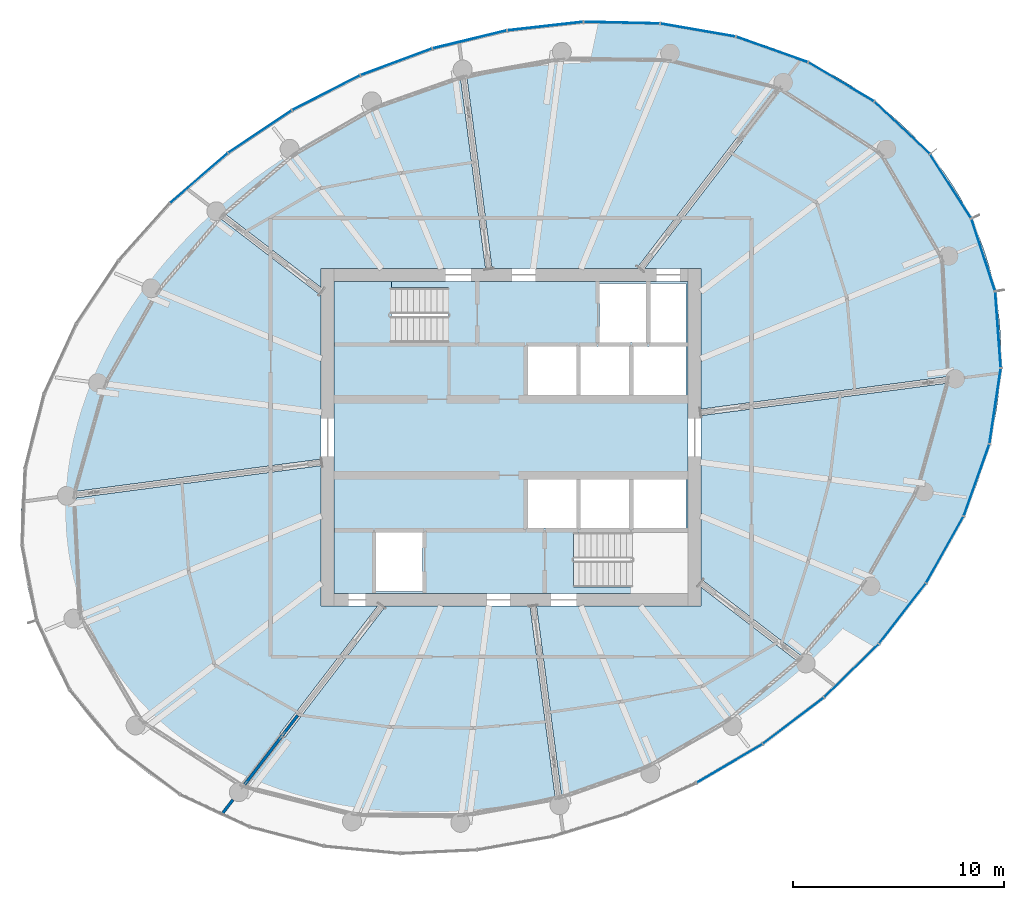
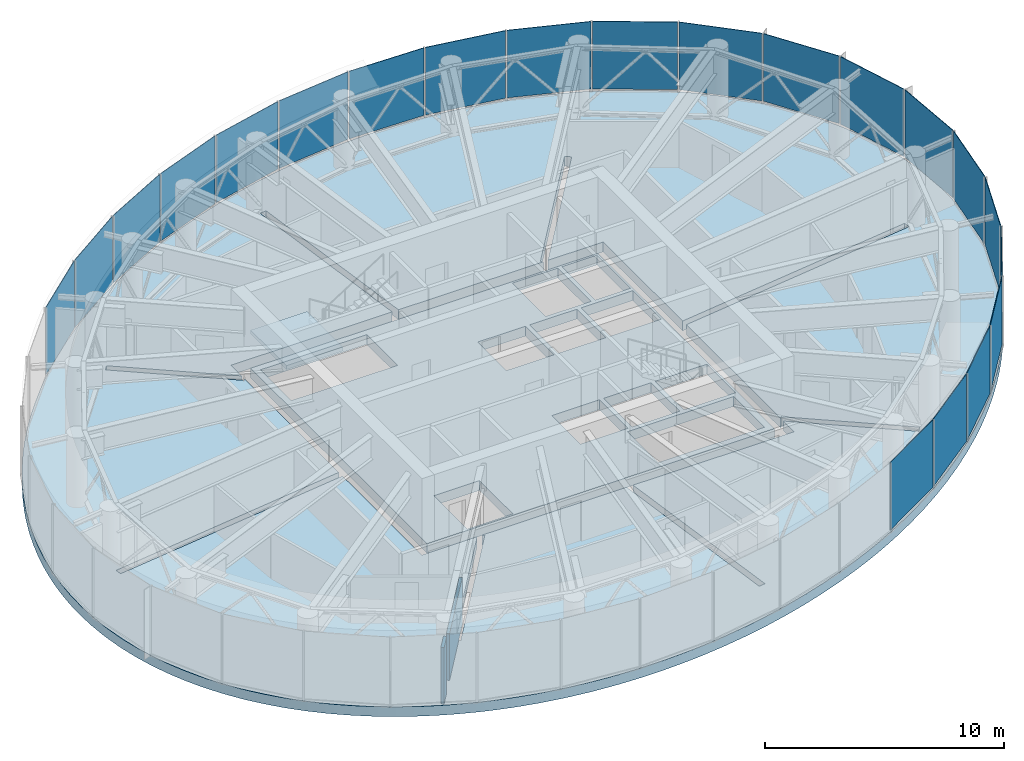
# One storey, part 15 of 26: 21 plates, 3 slabs, 2 walls, 5 elements without a shape of their own.
"""IFC4 building model written with IfcOpenShell, lengths in metres."""

from ifc_helpers import new_model, si_unit, direction, frame, frame_2d, origin, origin_2d, place, context, subcontext, project, spatial, line, indexed_curve, rectangle, outline, extrude, source, transform, mapped, material, layer, layer_set, type_object, element, aggregate, save


model = new_model("IFC4")

# Units and contexts
model_context = context("Model", 3, precision=1e-05, world=origin(), true_north=direction((0.0, 1.0)))
body_context = subcontext(model_context, "Body", "Model", "MODEL_VIEW")
ifc_project = project(units=[si_unit("LENGTHUNIT", "METRE"), si_unit("AREAUNIT", "SQUARE_METRE"), si_unit("VOLUMEUNIT", "CUBIC_METRE"), si_unit("PLANEANGLEUNIT", "RADIAN"), si_unit("MASSUNIT", "GRAM", prefix="KILO")], contexts=[model_context])

# Site, building, storey
site_placement = place(None, origin())
site = spatial("IfcSite", under=ifc_project, at=site_placement, CompositionType="ELEMENT")
building_placement = place(site_placement, origin())
building = spatial("IfcBuilding", under=site, at=building_placement, Name="Spindrift Exchange Tower", CompositionType="ELEMENT")
storey_placement = place(building_placement, frame((0.0, 0.0, 230.60009765625)))
storey = spatial("IfcBuildingStorey", under=building, at=storey_placement, Name="L56", CompositionType="ELEMENT", Elevation=230.60009765625)

# Slabs
ifc_material_1 = material(Name="Concrete 40 MPa", Category="concrete")
ifc_layer_1 = layer(ifc_material_1, 0.5)
ifc_layer_set_1 = layer_set([ifc_layer_1], Name="RC Floor Slab 500 Concrete 40 MPa")
slab_type_1 = type_object("IfcSlabType", Name="RC Floor Slab 500 Concrete 40 MPa", PredefinedType="FLOOR", material=ifc_layer_set_1)
slab_1_placement = place(storey_placement, frame((0.0, 0.0, -0.5)))
element("IfcSlab", 1, at=slab_1_placement, inside=storey, type_object=slab_type_1, Name="Floor slab L56", PredefinedType="FLOOR", context=body_context, shape_type="SweptSolid", body=[
    extrude(outline(indexed_curve([(73.8232421875, 58.366943359375), (73.484130859375, 59.034912109375), (73.3017578125, 59.3623046875), (72.911376953125, 60.001708984375), (72.48828125, 60.619873046875), (72.26513671875, 60.920654296875), (71.7958984375, 61.5048828125), (71.298095703125, 62.064453125), (71.038818359375, 62.3349609375), (70.501220703125, 62.8564453125), (69.938720703125, 63.3515625), (69.649169921875, 63.589111328125), (69.053466796875, 64.04345703125), (68.43798828125, 64.470703125), (68.123291015625, 64.673828125), (67.481201171875, 65.059814453125), (66.8232421875, 65.41796875), (66.489013671875, 65.5869140625), (65.810302734375, 65.904296875), (65.11962890625, 66.194580078125), (64.770263671875, 66.329833984375), (64.064208984375, 66.58056640625), (63.7080078125, 66.696044921875), (62.9892578125, 66.90771484375), (62.627197265625, 67.00390625), (61.8984375, 67.177734375), (61.531982421875, 67.25537109375), (60.79541015625, 67.392333984375), (60.425537109375, 67.451904296875), (59.683349609375, 67.552978515625), (59.31103515625, 67.594970703125), (58.564697265625, 67.661376953125), (58.19091796875, 67.686279296875), (57.4423828125, 67.718994140625), (57.068115234375, 67.727294921875), (56.31884765625, 67.727783203125), (55.944091796875, 67.719970703125), (55.19580078125, 67.688720703125), (54.4482421875, 67.636962890625), (54.0751953125, 67.603515625), (52.958984375, 67.47314453125), (51.848876953125, 67.29931640625), (50.74609375, 67.082763671875), (49.652099609375, 66.824951171875), (48.56884765625, 66.526611328125), (47.4970703125, 66.188720703125), (46.438232421875, 65.81201171875), (45.393798828125, 65.397705078125), (44.705810546875, 65.1005859375), (44.025390625, 64.787109375), (43.3525390625, 64.45751953125), (42.687744140625, 64.112060546875), (41.70654296875, 63.564208984375), (40.74560546875, 62.9814453125), (39.806640625, 62.3642578125), (38.890869140625, 61.712890625), (38.0, 61.02783203125), (37.135498046875, 60.309814453125), (36.29931640625, 59.55908203125), (35.75830078125, 59.040771484375), (35.4931640625, 58.776123046875), (35.2314453125, 58.508056640625), (34.71923828125, 57.96142578125), (34.221923828125, 57.40087890625), (33.9794921875, 57.115478515625), (33.50634765625, 56.53466796875), (33.276123046875, 56.239013671875), (33.05029296875, 55.940185546875), (32.61181640625, 55.33251953125), (32.19189453125, 54.712158203125), (31.9892578125, 54.397216796875), (31.5986328125, 53.7578125), (31.4111328125, 53.43359375), (31.052001953125, 52.77587890625), (30.880615234375, 52.44287109375), (30.554931640625, 51.768310546875), (30.40087890625, 51.4267578125), (30.252685546875, 51.08251953125), (29.975341796875, 50.38671875), (29.84619140625, 50.03515625), (29.607666015625, 49.324951171875), (29.396484375, 48.606201171875), (29.213623046875, 47.87939453125), (29.13330078125, 47.513671875), (28.99560546875, 46.77734375), (28.938232421875, 46.406982421875), (28.84765625, 45.663330078125), (28.789794921875, 44.91650390625), (28.773681640625, 44.542236328125), (28.76708984375, 43.793212890625), (28.79541015625, 43.04443359375), (28.860107421875, 42.298095703125), (28.906005859375, 41.92626953125), (29.025146484375, 41.186767578125), (29.0986328125, 40.8193359375), (29.273681640625, 40.091064453125), (29.48583984375, 39.37255859375), (29.605712890625, 39.017578125), (29.873046875, 38.31787109375), (30.1767578125, 37.633056640625), (30.515869140625, 36.965087890625), (30.6982421875, 36.6376953125), (31.088623046875, 35.998291015625), (31.51171875, 35.380126953125), (31.73486328125, 35.079345703125), (32.2041015625, 34.4951171875), (32.701904296875, 33.935546875), (32.961181640625, 33.6650390625), (33.498779296875, 33.1435546875), (34.061279296875, 32.6484375), (34.350830078125, 32.410888671875), (34.946533203125, 31.95654296875), (35.56201171875, 31.529296875), (35.876708984375, 31.326171875), (36.518798828125, 30.940185546875), (37.1767578125, 30.58203125), (37.510986328125, 30.4130859375), (38.189697265625, 30.095703125), (38.88037109375, 29.805419921875), (39.58154296875, 29.54150390625), (39.935791015625, 29.41943359375), (40.2919921875, 29.303955078125), (41.0107421875, 29.09228515625), (41.372802734375, 28.99609375), (42.1015625, 28.822265625), (42.468017578125, 28.74462890625), (43.20458984375, 28.607666015625), (43.574462890625, 28.548095703125), (44.316650390625, 28.447021484375), (44.68896484375, 28.405029296875), (45.435302734375, 28.338623046875), (45.80908203125, 28.313720703125), (46.5576171875, 28.281005859375), (46.931884765625, 28.272705078125), (47.68115234375, 28.272216796875), (48.055908203125, 28.280029296875), (48.80419921875, 28.311279296875), (49.5517578125, 28.363037109375), (49.9248046875, 28.396484375), (51.041015625, 28.52685546875), (52.151123046875, 28.70068359375), (53.25390625, 28.917236328125), (54.347900390625, 29.175048828125), (55.43115234375, 29.473388671875), (56.5029296875, 29.811279296875), (57.561767578125, 30.18798828125), (58.606201171875, 30.602294921875), (59.294189453125, 30.8994140625), (59.974609375, 31.212890625), (60.6474609375, 31.54248046875), (61.312255859375, 31.887939453125), (62.29345703125, 32.435791015625), (63.25439453125, 33.0185546875), (64.193359375, 33.6357421875), (65.109130859375, 34.287109375), (66.0, 34.97216796875), (66.864501953125, 35.690185546875), (67.70068359375, 36.44091796875), (68.24169921875, 36.959228515625), (68.5068359375, 37.223876953125), (68.7685546875, 37.491943359375), (69.28076171875, 38.03857421875), (69.778076171875, 38.59912109375), (70.0205078125, 38.884521484375), (70.49365234375, 39.46533203125), (70.723876953125, 39.760986328125), (70.94970703125, 40.059814453125), (71.38818359375, 40.66748046875), (71.80810546875, 41.287841796875), (72.0107421875, 41.602783203125), (72.4013671875, 42.2421875), (72.5888671875, 42.56640625), (72.947998046875, 43.22412109375), (73.119384765625, 43.55712890625), (73.445068359375, 44.231689453125), (73.59912109375, 44.5732421875), (73.747314453125, 44.91748046875), (74.024658203125, 45.61328125), (74.15380859375, 45.96484375), (74.392333984375, 46.675048828125), (74.603515625, 47.393798828125), (74.786376953125, 48.12060546875), (74.86669921875, 48.486328125), (75.00439453125, 49.22265625), (75.061767578125, 49.593017578125), (75.15234375, 50.336669921875), (75.210205078125, 51.08349609375), (75.226318359375, 51.457763671875), (75.23291015625, 52.206787109375), (75.20458984375, 52.95556640625), (75.139892578125, 53.701904296875), (75.093994140625, 54.07373046875), (74.974853515625, 54.813232421875), (74.9013671875, 55.1806640625), (74.726318359375, 55.908935546875), (74.51416015625, 56.62744140625), (74.394287109375, 56.982421875), (74.126953125, 57.68212890625)], segments=[line(1, 2, 3, 4, 5, 6, 7, 8, 9, 10, 11, 12, 13, 14, 15, 16, 17, 18, 19, 20, 21, 22, 23, 24, 25, 26, 27, 28, 29, 30, 31, 32, 33, 34, 35, 36, 37, 38, 39, 40, 41, 42, 43, 44, 45, 46, 47, 48, 49, 50, 51, 52, 53, 54, 55, 56, 57, 58, 59, 60, 61, 62, 63, 64, 65, 66, 67, 68, 69, 70, 71, 72, 73, 74, 75, 76, 77, 78, 79, 80, 81, 82, 83, 84, 85, 86, 87, 88, 89, 90, 91, 92, 93, 94, 95, 96, 97, 98, 99, 100, 101, 102, 103, 104, 105, 106, 107, 108, 109, 110, 111, 112, 113, 114, 115, 116, 117, 118, 119, 120, 121, 122, 123, 124, 125, 126, 127, 128, 129, 130, 131, 132, 133, 134, 135, 136, 137, 138, 139, 140, 141, 142, 143, 144, 145, 146, 147, 148, 149, 150, 151, 152, 153, 154, 155, 156, 157, 158, 159, 160, 161, 162, 163, 164, 165, 166, 167, 168, 169, 170, 171, 172, 173, 174, 175, 176, 177, 178, 179, 180, 181, 182, 183, 184, 185, 186, 187, 188, 189, 190, 191, 192, 193, 194, 195, 196, 197, 198, 1)], self_intersect=False), holes=[indexed_curve([(65.72265625, 37.662353515625), (65.537109375, 37.42041015625), (61.0, 40.90185546875), (61.0, 40.0), (53.20703125, 40.0), (54.391357421875, 31.003662109375), (54.089111328125, 30.9638671875), (52.8994140625, 40.0), (52.89990234375, 40.0), (45.894287109375, 40.0), (45.994384765625, 39.923095703125), (41.274169921875, 33.771240234375), (41.031982421875, 33.956787109375), (45.669189453125, 40.0), (43.0, 40.0), (43.0, 46.661376953125), (31.3837890625, 45.132080078125), (31.343994140625, 45.434326171875), (43.0, 46.968994140625), (43.0, 46.968505859375), (43.0, 54.873046875), (42.923095703125, 54.772705078125), (38.27734375, 58.337646484375), (38.462890625, 58.57958984375), (43.0, 55.09814453125), (43.0, 56.0), (50.79296875, 56.0), (49.608642578125, 64.996337890625), (49.910888671875, 65.0361328125), (51.1005859375, 56.0), (51.10009765625, 56.0), (58.105712890625, 56.0), (58.005615234375, 56.076904296875), (62.725830078125, 62.228759765625), (62.968017578125, 62.043212890625), (58.330810546875, 56.0), (61.0, 56.0), (61.0, 49.338623046875), (72.6162109375, 50.867919921875), (72.656005859375, 50.565673828125), (61.0, 49.031005859375), (61.0, 49.031494140625), (61.0, 41.126953125), (61.076904296875, 41.227294921875)], segments=[line(1, 2, 3, 4, 5, 6, 7, 8, 9, 10, 11, 12, 13, 14, 15, 16, 17, 18, 19, 20, 21, 22, 23, 24, 25, 26, 27, 28, 29, 30, 31, 32, 33, 34, 35, 36, 37, 38, 39, 40, 41, 42, 43, 44, 1)], self_intersect=False)]), origin(), (0.0, 0.0, 1.0), 0.5),
])
ifc_material_2 = material(Name="Concrete 50 MPa", Category="concrete")
ifc_layer_2 = layer(ifc_material_2, 0.5)
ifc_layer_set_2 = layer_set([ifc_layer_2], Name="SL-CORE-FLOOR-500")
slab_type_2 = type_object("IfcSlabType", Name="SL-CORE-FLOOR-500", PredefinedType="FLOOR", material=ifc_layer_set_2)
slab_2_placement = place(storey_placement, frame((0.0, 0.0, -0.5)))
element("IfcSlab", 2, at=slab_2_placement, inside=storey, type_object=slab_type_2, Name="L56 Core floor slab", PredefinedType="FLOOR", context=body_context, shape_type="SweptSolid", body=[
    extrude(outline(indexed_curve([(43.60009765625, 40.60009765625), (43.60009765625, 55.39990234375), (60.39990234375, 55.39990234375), (60.39990234375, 40.60009765625)], segments=[line(1, 2, 3, 4, 1)], self_intersect=False), holes=[indexed_curve([(45.60009765625, 43.5), (45.60009765625, 40.699951171875), (47.800048828125, 40.699951171875), (47.800048828125, 43.5)], segments=[line(1, 2, 3, 4, 1)], self_intersect=False), indexed_curve([(52.800048828125, 46.10009765625), (52.800048828125, 43.699951171875), (55.10009765625, 43.699951171875), (55.10009765625, 46.10009765625)], segments=[line(1, 2, 3, 4, 1)], self_intersect=False), indexed_curve([(55.300048828125, 46.10009765625), (55.300048828125, 43.699951171875), (57.60009765625, 43.699951171875), (57.60009765625, 46.10009765625)], segments=[line(1, 2, 3, 4, 1)], self_intersect=False), indexed_curve([(55.10009765625, 52.300048828125), (52.800048828125, 52.300048828125), (52.800048828125, 49.89990234375), (55.10009765625, 49.89990234375)], segments=[line(1, 2, 3, 4, 1)], self_intersect=False), indexed_curve([(57.60009765625, 52.300048828125), (55.300048828125, 52.300048828125), (55.300048828125, 49.89990234375), (57.60009765625, 49.89990234375)], segments=[line(1, 2, 3, 4, 1)], self_intersect=False), indexed_curve([(43.906005859375, 52.506103515625), (49.0439453125, 52.506103515625), (49.0439453125, 55.093994140625), (43.906005859375, 55.093994140625)], segments=[line(1, 2, 3, 4, 1)], self_intersect=False), indexed_curve([(60.093994140625, 40.906005859375), (60.093994140625, 43.493896484375), (54.9560546875, 43.493896484375), (54.9560546875, 40.906005859375)], segments=[line(1, 2, 3, 4, 1)], self_intersect=False), indexed_curve([(60.300048828125, 46.10009765625), (57.800048828125, 46.10009765625), (57.800048828125, 43.699951171875), (60.300048828125, 43.699951171875)], segments=[line(1, 2, 3, 4, 1)], self_intersect=False), indexed_curve([(57.800048828125, 52.300048828125), (57.800048828125, 49.89990234375), (60.300048828125, 49.89990234375), (60.300048828125, 52.300048828125)], segments=[line(1, 2, 3, 4, 1)], self_intersect=False), indexed_curve([(58.39990234375, 55.300048828125), (56.199951171875, 55.300048828125), (56.199951171875, 52.5), (58.39990234375, 52.5)], segments=[line(1, 2, 3, 4, 1)], self_intersect=False), indexed_curve([(60.300048828125, 55.300048828125), (58.60009765625, 55.300048828125), (58.60009765625, 52.5), (60.300048828125, 52.5)], segments=[line(1, 2, 3, 4, 1)], self_intersect=False)]), origin(), (0.0, 0.0, 1.0), 0.5),
])

# Stair, slab
stair_type = type_object("IfcStairType", Name="ST-1250-R177", PredefinedType="HALF_TURN_STAIR", material=ifc_material_2)
stair_placement = place(storey_placement, origin())
stair = element("IfcStair", 3, at=stair_placement, inside=storey, type_object=stair_type, Name="L56 Exit stair ST1", PredefinedType="HALF_TURN_STAIR")
ifc_layer_3 = layer(ifc_material_2, 0.199951171875)
ifc_layer_set_3 = layer_set([ifc_layer_3], Name="SL-LANDING")
slab_type_3 = type_object("IfcSlabType", Name="SL-LANDING", PredefinedType="LANDING", material=ifc_layer_set_3)
slab_3_placement = place(storey_placement, frame((0.0, 0.0, 1.75)))
slab_3 = element("IfcSlab", 4, at=slab_3_placement, type_object=slab_type_3, Name="ST1 landing 1", PredefinedType="LANDING", context=body_context, shape_type="SweptSolid", body=[
    extrude(outline(indexed_curve([(46.330078125, 52.39990234375), (43.60009765625, 52.39990234375), (43.60009765625, 55.39990234375), (46.330078125, 55.39990234375)], segments=[line(1, 2, 3, 4, 1)], self_intersect=False)), origin(), (0.0, 0.0, 1.0), 0.199951171875),
])
aggregate(stair, [slab_3])

# Curtain wall, plates
ifc_material_3 = material(Name="Fritted laminated glass with bronze frame", Category="glass")
ifc_layer_4 = layer(ifc_material_3, 0.169921875)
ifc_layer_set_4 = layer_set([ifc_layer_4], Name="ZONE 4 BRONZE FRITTED WALL")
curtain_wall_type = type_object("IfcCurtainWallType", Name="ZONE 4 BRONZE FRITTED WALL", PredefinedType="NOTDEFINED", material=ifc_layer_set_4)
curtain_wall_1_placement = place(storey_placement, origin())
curtain_wall_1 = element("IfcCurtainWall", 5, at=curtain_wall_1_placement, inside=storey, type_object=curtain_wall_type, Name="L56 Zone 4 Bronze Fritted Wall run 1", PredefinedType="NOTDEFINED")
ifc_material_4 = material(Name="Bronze fritted laminated glass, dense frit", Category="glass")
ifc_layer_5 = layer(ifc_material_4, 0.030029296875)
ifc_layer_set_5 = layer_set([ifc_layer_5], Name="ZONE 4 BRONZE FRITTED WALL PANEL DENSE FRIT 300")
plate_type_1 = type_object("IfcPlateType", Name="ZONE 4 BRONZE FRITTED WALL PANEL DENSE FRIT 300", PredefinedType="CURTAIN_PANEL", material=ifc_layer_set_5)
shared_shape_1 = source(origin(), body_context, "Body", "SweptSolid", [
    extrude(rectangle(XDim=3.5703125, YDim=0.030029296875, at=origin_2d()), origin(), (0.0, 0.0, 1.0), 3.455078125),
])
plate_1_placement = place(storey_placement, frame((72.84228515625, 59.897216796875, 0.124755859375), z_axis=(0.0, 0.0, 1.0), x_axis=(-0.539757024737, 0.841820856387, 0.0)))
plate_1 = element("IfcPlate", 6, at=plate_1_placement, type_object=plate_type_1, Name="L56 panel CW-4.1", PredefinedType="CURTAIN_PANEL", context=body_context, shape_type="MappedRepresentation", body=[
    mapped(shared_shape_1, transform((0.0, 0.0, 0.0), scale=1.0)),
])
ifc_layer_6 = layer(ifc_material_4, 0.030029296875)
ifc_layer_set_6 = layer_set([ifc_layer_6], Name="ZONE 4 BRONZE FRITTED WALL PANEL DENSE FRIT 180")
plate_type_2 = type_object("IfcPlateType", Name="ZONE 4 BRONZE FRITTED WALL PANEL DENSE FRIT 180", PredefinedType="CURTAIN_PANEL", material=ifc_layer_set_6)
shared_shape_2 = source(origin(), body_context, "Body", "SweptSolid", [
    extrude(rectangle(XDim=3.571533203125, YDim=0.030029296875, at=origin_2d()), origin(), (0.0, 0.0, 1.0), 3.455078125),
])
plate_2_placement = place(storey_placement, frame((70.538818359375, 62.67529296875, 0.124755859375), z_axis=(0.0, 0.0, 1.0), x_axis=(-0.727229100852, 0.686394809766, 0.0)))
plate_2 = element("IfcPlate", 7, at=plate_2_placement, type_object=plate_type_2, Name="L56 panel CW-4.2", PredefinedType="CURTAIN_PANEL", context=body_context, shape_type="MappedRepresentation", body=[
    mapped(shared_shape_2, transform((0.0, 0.0, 0.0), scale=1.0)),
])
ifc_layer_7 = layer(ifc_material_4, 0.030029296875)
ifc_layer_set_7 = layer_set([ifc_layer_7], Name="ZONE 4 BRONZE FRITTED WALL PANEL DENSE FRIT 420")
plate_type_3 = type_object("IfcPlateType", Name="ZONE 4 BRONZE FRITTED WALL PANEL DENSE FRIT 420", PredefinedType="CURTAIN_PANEL", material=ifc_layer_set_7)
shared_shape_3 = source(origin(), body_context, "Body", "SweptSolid", [
    extrude(rectangle(XDim=3.5732421875, YDim=0.030029296875, at=origin_2d()), origin(), (0.0, 0.0, 1.0), 3.455078125),
])
plate_3_placement = place(storey_placement, frame((67.651611328125, 64.85107421875, 0.124755859375), z_axis=(0.0, 0.0, 1.0), x_axis=(-0.860180006319, 0.509990545725, 0.0)))
plate_3 = element("IfcPlate", 8, at=plate_3_placement, type_object=plate_type_3, Name="L56 panel CW-4.3", PredefinedType="CURTAIN_PANEL", context=body_context, shape_type="MappedRepresentation", body=[
    mapped(shared_shape_3, transform((0.0, 0.0, 0.0), scale=1.0)),
])
shared_shape_4 = source(origin(), body_context, "Body", "SweptSolid", [
    extrude(rectangle(XDim=3.574951171875, YDim=0.030029296875, at=origin_2d()), origin(), (0.0, 0.0, 1.0), 3.455078125),
])
plate_4_placement = place(storey_placement, frame((64.371826171875, 66.3876953125, 0.124755859375), z_axis=(0.0, 0.0, 1.0), x_axis=(-0.942398879856, 0.334491182613, 0.0)))
plate_4 = element("IfcPlate", 9, at=plate_4_placement, type_object=plate_type_1, Name="L56 panel CW-4.4", PredefinedType="CURTAIN_PANEL", context=body_context, shape_type="MappedRepresentation", body=[
    mapped(shared_shape_4, transform((0.0, 0.0, 0.0), scale=1.0)),
])

# Curtain wall, plate
curtain_wall_2_placement = place(storey_placement, origin())
curtain_wall_2 = element("IfcCurtainWall", 10, at=curtain_wall_2_placement, inside=storey, type_object=curtain_wall_type, Name="L56 Zone 4 Bronze Fritted Wall run 6", PredefinedType="NOTDEFINED")
plate_5_placement = place(storey_placement, frame((74.069580078125, 45.973388671875, 0.124755859375), z_axis=(0.0, 0.0, 1.0), x_axis=(0.336079579712, 0.941833592574, 0.0)))
plate_5 = element("IfcPlate", 11, at=plate_5_placement, type_object=plate_type_1, Name="L56 panel CW-4.34", PredefinedType="CURTAIN_PANEL", context=body_context, shape_type="MappedRepresentation", body=[
    mapped(shared_shape_4, transform((0.0, 0.0, 0.0), scale=1.0)),
])

# Plate
shared_shape_5 = source(origin(), body_context, "Body", "SweptSolid", [
    extrude(rectangle(XDim=3.576171875, YDim=0.030029296875, at=origin_2d()), origin(), (0.0, 0.0, 1.0), 3.455078125),
])
plate_6_placement = place(storey_placement, frame((60.86279296875, 67.3076171875, 0.124755859375), z_axis=(0.0, 0.0, 1.0), x_axis=(-0.985277194808, 0.170964468211, 0.0)))
plate_6 = element("IfcPlate", 12, at=plate_6_placement, type_object=plate_type_1, Name="L56 panel CW-4.5", PredefinedType="CURTAIN_PANEL", context=body_context, shape_type="MappedRepresentation", body=[
    mapped(shared_shape_5, transform((0.0, 0.0, 0.0), scale=1.0)),
])

shared_shape_6 = source(origin(), body_context, "Body", "SweptSolid", [
    extrude(rectangle(XDim=3.576904296875, YDim=0.030029296875, at=origin_2d()), origin(), (0.0, 0.0, 1.0), 3.455078125),
])
plate_7_placement = place(storey_placement, frame((57.248779296875, 67.659912109375, 0.124755859375), z_axis=(0.0, 0.0, 1.0), x_axis=(-0.999748318854, 0.022434325246, 0.0)))
plate_7 = element("IfcPlate", 13, at=plate_7_placement, type_object=plate_type_1, Name="L56 panel CW-4.6", PredefinedType="CURTAIN_PANEL", context=body_context, shape_type="MappedRepresentation", body=[
    mapped(shared_shape_6, transform((0.0, 0.0, 0.0), scale=1.0)),
])

aggregate(curtain_wall_1, [plate_1, plate_2, plate_3, plate_4, plate_6, plate_7])

plate_8_placement = place(storey_placement, frame((70.555419921875, 39.648193359375, 0.124755859375), z_axis=(0.0, 0.0, 1.0), x_axis=(0.614221846389, 0.789133400268, 0.0)))
plate_8 = element("IfcPlate", 14, at=plate_8_placement, type_object=plate_type_1, Name="L56 panel CW-4.32", PredefinedType="CURTAIN_PANEL", context=body_context, shape_type="MappedRepresentation", body=[
    mapped(shared_shape_6, transform((0.0, 0.0, 0.0), scale=1.0)),
])

# Curtain wall, plates
curtain_wall_3_placement = place(storey_placement, origin())
curtain_wall_3 = element("IfcCurtainWall", 15, at=curtain_wall_3_placement, inside=storey, type_object=curtain_wall_type, Name="L56 Zone 4 Bronze Fritted Wall run 2", PredefinedType="NOTDEFINED")
shared_shape_7 = source(origin(), body_context, "Body", "SweptSolid", [
    extrude(rectangle(XDim=3.577392578125, YDim=0.030029296875, at=origin_2d()), origin(), (0.0, 0.0, 1.0), 3.455078125),
])
plate_9_placement = place(storey_placement, frame((53.61865234375, 67.496337890625, 0.124755859375), z_axis=(0.0, 0.0, 1.0), x_axis=(-0.993694163002, -0.112124530839, 0.0)))
plate_9 = element("IfcPlate", 16, at=plate_9_placement, type_object=plate_type_2, Name="L56 panel CW-4.7", PredefinedType="CURTAIN_PANEL", context=body_context, shape_type="MappedRepresentation", body=[
    mapped(shared_shape_7, transform((0.0, 0.0, 0.0), scale=1.0)),
])
plate_10_placement = place(storey_placement, frame((37.203125, 60.293212890625, 0.124755859375), z_axis=(0.0, 0.0, 1.0), x_axis=(-0.75758321258, -0.652738597003, 0.0)))
plate_10 = element("IfcPlate", 17, at=plate_10_placement, type_object=plate_type_2, Name="L56 panel CW-4.12", PredefinedType="CURTAIN_PANEL", context=body_context, shape_type="MappedRepresentation", body=[
    mapped(shared_shape_7, transform((0.0, 0.0, 0.0), scale=1.0)),
])

# Plate
plate_11_placement = place(storey_placement, frame((68.135498046875, 36.9375, 0.124755859375), z_axis=(0.0, 0.0, 1.0), x_axis=(0.714698553821, 0.699432610883, 0.0)))
plate_11 = element("IfcPlate", 18, at=plate_11_placement, type_object=plate_type_2, Name="L56 panel CW-4.31", PredefinedType="CURTAIN_PANEL", context=body_context, shape_type="MappedRepresentation", body=[
    mapped(shared_shape_7, transform((0.0, 0.0, 0.0), scale=1.0)),
])

shared_shape_8 = source(origin(), body_context, "Body", "SweptSolid", [
    extrude(rectangle(XDim=3.57763671875, YDim=0.030029296875, at=origin_2d()), origin(), (0.0, 0.0, 1.0), 3.455078125),
])
plate_12_placement = place(storey_placement, frame((50.03857421875, 66.864013671875, 0.124755859375), z_axis=(0.0, 0.0, 1.0), x_axis=(-0.971991362102, -0.235016578136, 0.0)))
plate_12 = element("IfcPlate", 19, at=plate_12_placement, type_object=plate_type_3, Name="L56 panel CW-4.8", PredefinedType="CURTAIN_PANEL", context=body_context, shape_type="MappedRepresentation", body=[
    mapped(shared_shape_8, transform((0.0, 0.0, 0.0), scale=1.0)),
])

shared_shape_9 = source(origin(), body_context, "Body", "SweptSolid", [
    extrude(rectangle(XDim=3.577880859375, YDim=0.030029296875, at=origin_2d()), origin(), (0.0, 0.0, 1.0), 3.455078125),
])
plate_13_placement = place(storey_placement, frame((46.56103515625, 65.801025390625, 0.124755859375), z_axis=(0.0, 0.0, 1.0), x_axis=(-0.937257652288, -0.348637481099, 0.0)))
plate_13 = element("IfcPlate", 20, at=plate_13_placement, type_object=plate_type_3, Name="L56 panel CW-4.9", PredefinedType="CURTAIN_PANEL", context=body_context, shape_type="MappedRepresentation", body=[
    mapped(shared_shape_9, transform((0.0, 0.0, 0.0), scale=1.0)),
])

shared_shape_10 = source(origin(), body_context, "Body", "SweptSolid", [
    extrude(rectangle(XDim=3.577880859375, YDim=0.030029296875, at=origin_2d()), origin(), (0.0, 0.0, 1.0), 3.455078125),
])
plate_14_placement = place(storey_placement, frame((43.232177734375, 64.337158203125, 0.124755859375), z_axis=(0.0, 0.0, 1.0), x_axis=(-0.890417049544, -0.455145556807, 0.0)))
plate_14 = element("IfcPlate", 21, at=plate_14_placement, type_object=plate_type_1, Name="L56 panel CW-4.10", PredefinedType="CURTAIN_PANEL", context=body_context, shape_type="MappedRepresentation", body=[
    mapped(shared_shape_10, transform((0.0, 0.0, 0.0), scale=1.0)),
])

shared_shape_11 = source(origin(), body_context, "Body", "SweptSolid", [
    extrude(rectangle(XDim=3.577880859375, YDim=0.030029296875, at=origin_2d()), origin(), (0.0, 0.0, 1.0), 3.455078125),
])
plate_15_placement = place(storey_placement, frame((40.0966796875, 62.4951171875, 0.124755859375), z_axis=(0.0, 0.0, 1.0), x_axis=(-0.831068929648, -0.556169429377, 0.0)))
plate_15 = element("IfcPlate", 22, at=plate_15_placement, type_object=plate_type_2, Name="L56 panel CW-4.11", PredefinedType="CURTAIN_PANEL", context=body_context, shape_type="MappedRepresentation", body=[
    mapped(shared_shape_11, transform((0.0, 0.0, 0.0), scale=1.0)),
])

aggregate(curtain_wall_3, [plate_9, plate_12, plate_13, plate_14, plate_15, plate_10])

# Curtain wall, plates
curtain_wall_4_placement = place(storey_placement, origin())
curtain_wall_4 = element("IfcCurtainWall", 23, at=curtain_wall_4_placement, inside=storey, type_object=curtain_wall_type, Name="L56 Zone 4 Bronze Fritted Wall run 5", PredefinedType="NOTDEFINED")
plate_16_placement = place(storey_placement, frame((62.36279296875, 32.537841796875, 0.124755859375), z_axis=(0.0, 0.0, 1.0), x_axis=(0.862382927495, 0.506256542046, 0.0)))
plate_16 = element("IfcPlate", 24, at=plate_16_placement, type_object=plate_type_2, Name="L56 panel CW-4.29", PredefinedType="CURTAIN_PANEL", context=body_context, shape_type="MappedRepresentation", body=[
    mapped(shared_shape_11, transform((0.0, 0.0, 0.0), scale=1.0)),
])
shared_shape_12 = source(origin(), body_context, "Body", "SweptSolid", [
    extrude(rectangle(XDim=3.57763671875, YDim=0.030029296875, at=origin_2d()), origin(), (0.0, 0.0, 1.0), 3.455078125),
])
plate_17_placement = place(storey_placement, frame((65.383544921875, 34.561767578125, 0.124755859375), z_axis=(0.0, 0.0, 1.0), x_axis=(0.796241751323, 0.604978572719, 0.0)))
plate_17 = element("IfcPlate", 25, at=plate_17_placement, type_object=plate_type_2, Name="L56 panel CW-4.30", PredefinedType="CURTAIN_PANEL", context=body_context, shape_type="MappedRepresentation", body=[
    mapped(shared_shape_12, transform((0.0, 0.0, 0.0), scale=1.0)),
])
aggregate(curtain_wall_4, [plate_16, plate_17])

# Plate
shared_shape_13 = source(origin(), body_context, "Body", "SweptSolid", [
    extrude(rectangle(XDim=3.576171875, YDim=0.030029296875, at=origin_2d()), origin(), (0.0, 0.0, 1.0), 3.455078125),
])
plate_18_placement = place(storey_placement, frame((72.56591796875, 42.67236328125, 0.124755859375), z_axis=(0.0, 0.0, 1.0), x_axis=(0.489930292397, 0.87176161225, 0.0)))
plate_18 = element("IfcPlate", 26, at=plate_18_placement, type_object=plate_type_2, Name="L56 panel CW-4.33", PredefinedType="CURTAIN_PANEL", context=body_context, shape_type="MappedRepresentation", body=[
    mapped(shared_shape_13, transform((0.0, 0.0, 0.0), scale=1.0)),
])

shared_shape_14 = source(origin(), body_context, "Body", "SweptSolid", [
    extrude(rectangle(XDim=3.5732421875, YDim=0.030029296875, at=origin_2d()), origin(), (0.0, 0.0, 1.0), 3.455078125),
])
plate_19_placement = place(storey_placement, frame((74.950439453125, 49.48681640625, 0.124755859375), z_axis=(0.0, 0.0, 1.0), x_axis=(0.148116660172, 0.988969895891, 0.0)))
plate_19 = element("IfcPlate", 27, at=plate_19_placement, type_object=plate_type_1, Name="L56 panel CW-4.35", PredefinedType="CURTAIN_PANEL", context=body_context, shape_type="MappedRepresentation", body=[
    mapped(shared_shape_14, transform((0.0, 0.0, 0.0), scale=1.0)),
])

shared_shape_15 = source(origin(), body_context, "Body", "SweptSolid", [
    extrude(rectangle(XDim=3.571533203125, YDim=0.030029296875, at=origin_2d()), origin(), (0.0, 0.0, 1.0), 3.455078125),
])
plate_20_placement = place(storey_placement, frame((75.087890625, 53.09912109375, 0.124755859375), z_axis=(0.0, 0.0, 1.0), x_axis=(-0.072625477315, 0.99735928333, 0.0)))
plate_20 = element("IfcPlate", 28, at=plate_20_placement, type_object=plate_type_1, Name="L56 panel CW-4.36", PredefinedType="CURTAIN_PANEL", context=body_context, shape_type="MappedRepresentation", body=[
    mapped(shared_shape_15, transform((0.0, 0.0, 0.0), scale=1.0)),
])

shared_shape_16 = source(origin(), body_context, "Body", "SweptSolid", [
    extrude(rectangle(XDim=3.5703125, YDim=0.030029296875, at=origin_2d()), origin(), (0.0, 0.0, 1.0), 3.455078125),
])
plate_21_placement = place(storey_placement, frame((74.3896484375, 56.639892578125, 0.124755859375), z_axis=(0.0, 0.0, 1.0), x_axis=(-0.311560522307, 0.950226310381, 0.0)))
plate_21 = element("IfcPlate", 29, at=plate_21_placement, type_object=plate_type_2, Name="L56 panel CW-4.37", PredefinedType="CURTAIN_PANEL", context=body_context, shape_type="MappedRepresentation", body=[
    mapped(shared_shape_16, transform((0.0, 0.0, 0.0), scale=1.0)),
])

aggregate(curtain_wall_2, [plate_11, plate_8, plate_18, plate_5, plate_19, plate_20, plate_21])

# Walls
ifc_material_5 = material(Name="Fire-rated plasterboard partition", Category="gypsum")
ifc_layer_8 = layer(ifc_material_5, 0.139892578125)
ifc_layer_set_8 = layer_set([ifc_layer_8], Name="W-PLANT-140")
wall_type_1 = type_object("IfcWallType", Name="W-PLANT-140", PredefinedType="PARTITIONING", material=ifc_layer_set_8)
wall_1_placement = place(storey_placement, frame((38.814453125, 30.81640625, 0.0), z_axis=(0.0, 0.0, 1.0), x_axis=(-0.608636710057, -0.793449024936, 0.0)))
element("IfcWall", 30, at=wall_1_placement, inside=storey, type_object=wall_type_1, Name="L56 Partition wall 85", PredefinedType="PARTITIONING", context=body_context, shape_type="SweptSolid", body=[
    extrude(rectangle(XDim=0.82421875, YDim=0.139892578125, at=frame_2d((0.412109375, 0.0))), origin(), (0.0, 0.0, 1.0), 2.8798828125),
])
ifc_layer_9 = layer(ifc_material_5, 0.139892578125)
ifc_layer_set_9 = layer_set([ifc_layer_9], Name="W-PLANT-140-SOFFIT")
wall_type_2 = type_object("IfcWallType", Name="W-PLANT-140-SOFFIT", PredefinedType="PARTITIONING", material=ifc_layer_set_9)
wall_2_placement = place(storey_placement, frame((39.367919921875, 31.53759765625, 0.0), z_axis=(0.0, 0.0, 1.0), x_axis=(0.608757438712, 0.793356402138, 0.0)))
element("IfcWall", 31, at=wall_2_placement, inside=storey, type_object=wall_type_2, Name="L56 Partition wall 57", PredefinedType="PARTITIONING", context=body_context, shape_type="SweptSolid", body=[
    extrude(rectangle(XDim=4.135498046875, YDim=0.139892578125, at=frame_2d((2.06787109375, 0.0))), origin(), (0.0, 0.0, 1.0), 2.3798828125),
])

save(model, "model.ifc")
